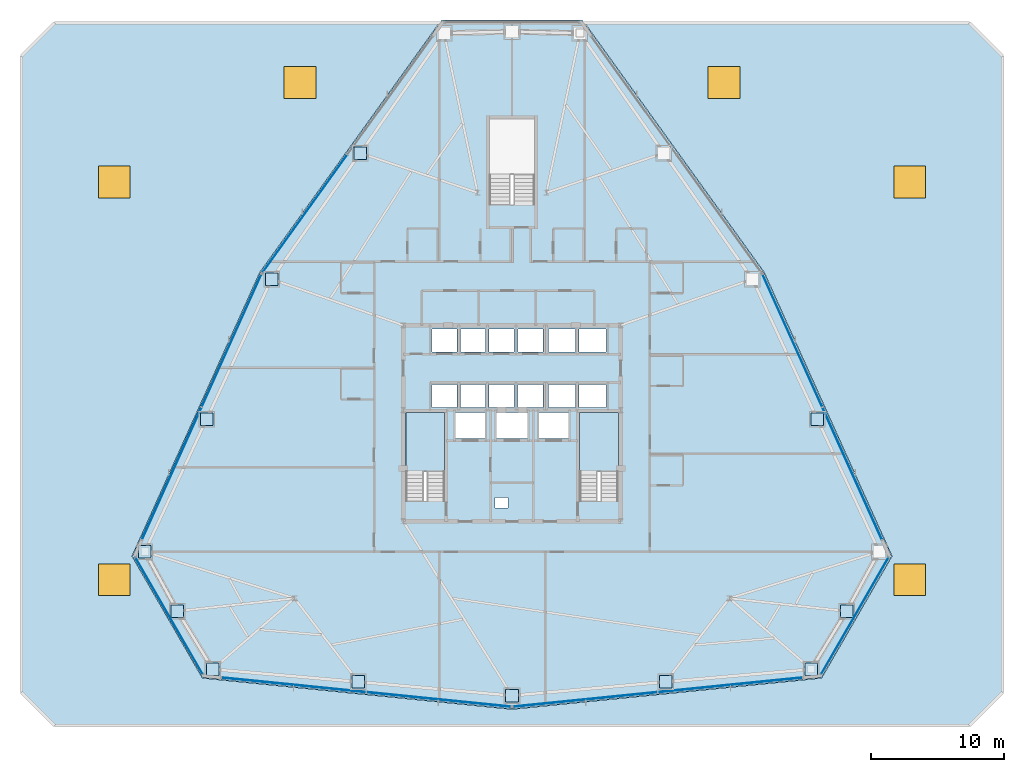
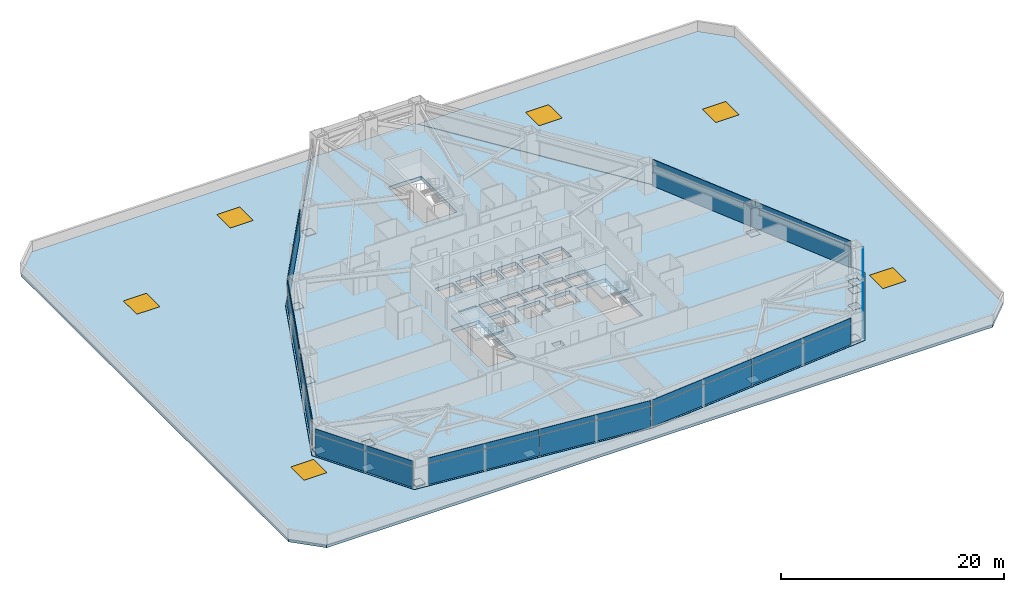
# One storey, part 10 of 17: 41 plates, 6 windows, 4 slabs, 6 openings, 9 elements without a shape of their own.
"""IFC4 building model written with IfcOpenShell, lengths in metres."""

from ifc_helpers import new_model, si_unit, direction, frame, origin, origin_2d, place, context, subcontext, project, spatial, polyline, rectangle, outline, extrude, source, transform, mapped, material, layer, layer_set, type_object, type_shapes, element, fill, aggregate, save


model = new_model("IFC4")

# Units and contexts
model_context = context("Model", 3, precision=1e-05, world=origin(), true_north=direction((0.0, 1.0)))
body_context = subcontext(model_context, "Body", "Model", "MODEL_VIEW")
ifc_project = project(units=[si_unit("LENGTHUNIT", "METRE"), si_unit("AREAUNIT", "SQUARE_METRE"), si_unit("VOLUMEUNIT", "CUBIC_METRE"), si_unit("PLANEANGLEUNIT", "RADIAN"), si_unit("MASSUNIT", "GRAM", prefix="KILO")], contexts=[model_context])

# Site, building, storey
site_placement = place(None, origin())
site = spatial("IfcSite", under=ifc_project, at=site_placement, CompositionType="ELEMENT")
building_placement = place(site_placement, origin())
building = spatial("IfcBuilding", under=site, at=building_placement, Name="Varakhsha Concourse Tower", CompositionType="ELEMENT")
storey_placement = place(building_placement, frame((0.0, 0.0, 27.199951171875)))
storey = spatial("IfcBuildingStorey", under=building, at=storey_placement, Name="L06", CompositionType="ELEMENT", Elevation=27.199951171875)

# Slab
ifc_material_1 = material(Name="Concrete fc 45 MPa", Category="concrete")
ifc_layer_1 = layer(ifc_material_1, 0.419921875, Name="SL-FLR-420")
ifc_layer_set_1 = layer_set([ifc_layer_1], Name="Concrete fc 45 MPa")
slab_type_1 = type_object("IfcSlabType", Name="SL-FLR-420", PredefinedType="FLOOR", material=ifc_layer_set_1)
slab_1_placement = place(storey_placement, frame((0.0, 0.0, -0.419921875)))
element("IfcSlab", 1, at=slab_1_placement, inside=storey, type_object=slab_type_1, Name="L06 Composite Structural Slab", PredefinedType="FLOOR", context=body_context, shape_type="SweptSolid", body=[
    extrude(outline(polyline([(45.300048828125, 54.22021484375), (34.699951171875, 54.22021484375), (20.989013671875, 35.176025390625), (11.351806640625, 13.77978515625), (16.65185546875, 4.60009765625), (40.0, 2.248046875), (63.34814453125, 4.60009765625), (68.648193359375, 13.77978515625), (59.010986328125, 35.176025390625), (45.300048828125, 54.22021484375)]), holes=[polyline([(34.919921875, 17.93994140625), (34.919921875, 24.6298828125), (32.0, 24.6298828125), (32.0, 17.93994140625), (34.919921875, 17.93994140625)]), polyline([(48.02001953125, 17.93994140625), (48.02001953125, 24.6298828125), (45.10009765625, 24.6298828125), (45.10009765625, 17.93994140625), (48.02001953125, 17.93994140625)]), polyline([(41.699951171875, 40.300048828125), (41.699951171875, 46.75), (38.300048828125, 46.75), (38.300048828125, 40.300048828125), (41.699951171875, 40.300048828125)]), polyline([(33.9599609375, 29.159912109375), (35.840087890625, 29.159912109375), (35.840087890625, 30.89990234375), (33.9599609375, 30.89990234375), (33.9599609375, 29.159912109375)]), polyline([(36.1201171875, 29.159912109375), (38.0, 29.159912109375), (38.0, 30.89990234375), (36.1201171875, 30.89990234375), (36.1201171875, 29.159912109375)]), polyline([(38.280029296875, 29.159912109375), (40.159912109375, 29.159912109375), (40.159912109375, 30.89990234375), (38.280029296875, 30.89990234375), (38.280029296875, 29.159912109375)]), polyline([(40.43994140625, 29.159912109375), (42.320068359375, 29.159912109375), (42.320068359375, 30.89990234375), (40.43994140625, 30.89990234375), (40.43994140625, 29.159912109375)]), polyline([(33.9599609375, 25.0), (35.840087890625, 25.0), (35.840087890625, 26.739990234375), (33.9599609375, 26.739990234375), (33.9599609375, 25.0)]), polyline([(36.1201171875, 25.0), (38.0, 25.0), (38.0, 26.739990234375), (36.1201171875, 26.739990234375), (36.1201171875, 25.0)]), polyline([(38.280029296875, 25.0), (40.159912109375, 25.0), (40.159912109375, 26.739990234375), (38.280029296875, 26.739990234375), (38.280029296875, 25.0)]), polyline([(40.43994140625, 25.0), (42.320068359375, 25.0), (42.320068359375, 26.739990234375), (40.43994140625, 26.739990234375), (40.43994140625, 25.0)]), polyline([(42.739990234375, 29.159912109375), (44.780029296875, 29.159912109375), (44.780029296875, 30.89990234375), (42.739990234375, 30.89990234375), (42.739990234375, 29.159912109375)]), polyline([(45.06005859375, 29.159912109375), (47.10009765625, 29.159912109375), (47.10009765625, 30.89990234375), (45.06005859375, 30.89990234375), (45.06005859375, 29.159912109375)]), polyline([(42.739990234375, 25.0), (44.780029296875, 25.0), (44.780029296875, 26.739990234375), (42.739990234375, 26.739990234375), (42.739990234375, 25.0)]), polyline([(45.06005859375, 25.0), (47.10009765625, 25.0), (47.10009765625, 26.739990234375), (45.06005859375, 26.739990234375), (45.06005859375, 25.0)]), polyline([(35.7099609375, 22.639892578125), (37.989990234375, 22.639892578125), (37.989990234375, 24.60009765625), (35.7099609375, 24.60009765625), (35.7099609375, 22.639892578125)]), polyline([(42.010009765625, 22.639892578125), (44.2900390625, 22.639892578125), (44.2900390625, 24.60009765625), (42.010009765625, 24.60009765625), (42.010009765625, 22.639892578125)]), polyline([(38.81005859375, 22.639892578125), (41.18994140625, 22.639892578125), (41.18994140625, 24.60009765625), (38.81005859375, 24.60009765625), (38.81005859375, 22.639892578125)]), polyline([(38.719970703125, 17.39990234375), (39.679931640625, 17.39990234375), (39.679931640625, 18.199951171875), (38.719970703125, 18.199951171875), (38.719970703125, 17.39990234375)])]), origin(), (0.0, 0.0, 1.0), 0.419921875),
])

# Stair, slab
stair_type = type_object("IfcStairType", Name="ST-DOGLEG-1360", PredefinedType="HALF_TURN_STAIR", material=ifc_material_1)
stair_1_placement = place(storey_placement, origin())
stair_1 = element("IfcStair", 2, at=stair_1_placement, inside=storey, type_object=stair_type, Name="L06 Protected Exit Stair ST1", PredefinedType="HALF_TURN_STAIR")
ifc_layer_2 = layer(ifc_material_1, 0.199951171875, Name="SL-LAND-200")
ifc_layer_set_2 = layer_set([ifc_layer_2], Name="Concrete fc 45 MPa")
slab_type_2 = type_object("IfcSlabType", Name="SL-LAND-200", PredefinedType="LANDING", material=ifc_layer_set_2)
slab_2_placement = place(storey_placement, frame((0.0, 0.0, 1.400146484375)))
slab_2 = element("IfcSlab", 3, at=slab_2_placement, type_object=slab_type_2, Name="ST1 landing 1", PredefinedType="LANDING", context=body_context, shape_type="SweptSolid", body=[
    extrude(outline(polyline([(34.919921875, 20.179931640625), (34.919921875, 24.6298828125), (32.0, 24.6298828125), (32.0, 20.179931640625), (34.919921875, 20.179931640625)])), origin(), (0.0, 0.0, 1.0), 0.199951171875),
])
aggregate(stair_1, [slab_2])

stair_2_placement = place(storey_placement, origin())
stair_2 = element("IfcStair", 4, at=stair_2_placement, inside=storey, type_object=stair_type, Name="L06 Protected Exit Stair ST2", PredefinedType="HALF_TURN_STAIR")
slab_3_placement = place(storey_placement, frame((0.0, 0.0, 1.400146484375)))
slab_3 = element("IfcSlab", 5, at=slab_3_placement, type_object=slab_type_2, Name="ST2 landing 1", PredefinedType="LANDING", context=body_context, shape_type="SweptSolid", body=[
    extrude(outline(polyline([(48.02001953125, 20.179931640625), (48.02001953125, 24.6298828125), (45.10009765625, 24.6298828125), (45.10009765625, 20.179931640625), (48.02001953125, 20.179931640625)])), origin(), (0.0, 0.0, 1.0), 0.199951171875),
])
aggregate(stair_2, [slab_3])

# Slab, openings, windows
ifc_layer_3 = layer(ifc_material_1, 0.300048828125, Name="SL-ROOF-POD-300")
ifc_layer_set_3 = layer_set([ifc_layer_3], Name="Concrete fc 45 MPa")
slab_type_3 = type_object("IfcSlabType", Name="SL-ROOF-POD-300", PredefinedType="ROOF", material=ifc_layer_set_3)
slab_4_placement = place(storey_placement, frame((0.0, 0.0, -0.300048828125)))
slab_4 = element("IfcSlab", 6, at=slab_4_placement, inside=storey, type_object=slab_type_3, Name="Podium Convention Hall Roof Slab 1", PredefinedType="ROOF", context=body_context, shape_type="SweptSolid", body=[
    extrude(outline(polyline([(74.5, 54.0), (77.0, 51.5), (77.0, 3.5), (74.5, 1.0), (5.5, 1.0), (3.0, 3.5), (3.0, 51.5), (5.5, 54.0), (34.516845703125, 54.0), (20.9716796875, 35.18603515625), (11.33203125, 13.777099609375), (16.644287109375, 4.58154296875), (40.0, 2.22802734375), (63.355712890625, 4.58154296875), (68.66796875, 13.777099609375), (59.0283203125, 35.18603515625), (45.483154296875, 54.0), (74.5, 54.0)]), holes=[polyline([(8.800048828125, 10.800048828125), (11.199951171875, 10.800048828125), (11.199951171875, 13.199951171875), (8.800048828125, 13.199951171875), (8.800048828125, 10.800048828125)]), polyline([(8.800048828125, 40.800048828125), (11.199951171875, 40.800048828125), (11.199951171875, 43.199951171875), (8.800048828125, 43.199951171875), (8.800048828125, 40.800048828125)]), polyline([(68.800048828125, 10.800048828125), (71.199951171875, 10.800048828125), (71.199951171875, 13.199951171875), (68.800048828125, 13.199951171875), (68.800048828125, 10.800048828125)]), polyline([(68.800048828125, 40.800048828125), (71.199951171875, 40.800048828125), (71.199951171875, 43.199951171875), (68.800048828125, 43.199951171875), (68.800048828125, 40.800048828125)]), polyline([(22.800048828125, 48.300048828125), (25.199951171875, 48.300048828125), (25.199951171875, 50.699951171875), (22.800048828125, 50.699951171875), (22.800048828125, 48.300048828125)]), polyline([(54.800048828125, 48.300048828125), (57.199951171875, 48.300048828125), (57.199951171875, 50.699951171875), (54.800048828125, 50.699951171875), (54.800048828125, 48.300048828125)])]), origin(), (0.0, 0.0, 1.0), 0.300048828125),
])
opening_1_placement = place(slab_4_placement, frame((10.0, 12.0, 0.0)))
opening_1 = element("IfcOpeningElement", 7, at=opening_1_placement, cuts=slab_4, Name="Opening SK-01", PredefinedType="OPENING", context=body_context, shape_type="SweptSolid", body=[
    extrude(rectangle(XDim=2.39990234375, YDim=2.39990234375, at=origin_2d()), frame((0.0, 0.0, -0.010009765625)), (0.0, 0.0, 1.0), 0.320068359375),
])
opening_2_placement = place(slab_4_placement, frame((10.0, 42.0, 0.0)))
opening_2 = element("IfcOpeningElement", 8, at=opening_2_placement, cuts=slab_4, Name="Opening SK-01", PredefinedType="OPENING", context=body_context, shape_type="SweptSolid", body=[
    extrude(rectangle(XDim=2.39990234375, YDim=2.39990234375, at=origin_2d()), frame((0.0, 0.0, -0.010009765625)), (0.0, 0.0, 1.0), 0.320068359375),
])
opening_3_placement = place(slab_4_placement, frame((70.0, 12.0, 0.0)))
opening_3 = element("IfcOpeningElement", 9, at=opening_3_placement, cuts=slab_4, Name="Opening SK-01", PredefinedType="OPENING", context=body_context, shape_type="SweptSolid", body=[
    extrude(rectangle(XDim=2.39990234375, YDim=2.39990234375, at=origin_2d()), frame((0.0, 0.0, -0.010009765625)), (0.0, 0.0, 1.0), 0.320068359375),
])
opening_4_placement = place(slab_4_placement, frame((70.0, 42.0, 0.0)))
opening_4 = element("IfcOpeningElement", 10, at=opening_4_placement, cuts=slab_4, Name="Opening SK-01", PredefinedType="OPENING", context=body_context, shape_type="SweptSolid", body=[
    extrude(rectangle(XDim=2.39990234375, YDim=2.39990234375, at=origin_2d()), frame((0.0, 0.0, -0.010009765625)), (0.0, 0.0, 1.0), 0.320068359375),
])
opening_5_placement = place(slab_4_placement, frame((24.0, 49.5, 0.0)))
opening_5 = element("IfcOpeningElement", 11, at=opening_5_placement, cuts=slab_4, Name="Opening SK-01", PredefinedType="OPENING", context=body_context, shape_type="SweptSolid", body=[
    extrude(rectangle(XDim=2.39990234375, YDim=2.39990234375, at=origin_2d()), frame((0.0, 0.0, -0.010009765625)), (0.0, 0.0, 1.0), 0.320068359375),
])
opening_6_placement = place(slab_4_placement, frame((56.0, 49.5, 0.0)))
opening_6 = element("IfcOpeningElement", 12, at=opening_6_placement, cuts=slab_4, Name="Opening SK-01", PredefinedType="OPENING", context=body_context, shape_type="SweptSolid", body=[
    extrude(rectangle(XDim=2.39990234375, YDim=2.39990234375, at=origin_2d()), frame((0.0, 0.0, -0.010009765625)), (0.0, 0.0, 1.0), 0.320068359375),
])
ifc_material_2 = material(Name="Low-E Triple Insulating Glass IGU 44 mm", Category="glass")
window_type = type_object("IfcWindowType", Name="WN-SKYLIGHT-2400", PartitioningType="SINGLE_PANEL", PredefinedType="SKYLIGHT", material=ifc_material_2)
window_1_placement = place(opening_1_placement, frame((0.0, 0.0, 0.25)))
window_1 = element("IfcWindow", 13, at=window_1_placement, inside=storey, type_object=window_type, Name="Podium Convention Hall Skylight 01", OverallHeight=2.39990234375, OverallWidth=2.39990234375, PartitioningType="SINGLE_PANEL", PredefinedType="SKYLIGHT", context=body_context, shape_type="SweptSolid", body=[
    extrude(rectangle(XDim=2.39990234375, YDim=2.39990234375, at=origin_2d()), origin(), (0.0, 0.0, 1.0), 0.050048828125),
])
fill(opening_1, window_1)
window_2_placement = place(opening_2_placement, frame((0.0, 0.0, 0.25)))
window_2 = element("IfcWindow", 14, at=window_2_placement, inside=storey, type_object=window_type, Name="Podium Convention Hall Skylight 02", OverallHeight=2.39990234375, OverallWidth=2.39990234375, PartitioningType="SINGLE_PANEL", PredefinedType="SKYLIGHT", context=body_context, shape_type="SweptSolid", body=[
    extrude(rectangle(XDim=2.39990234375, YDim=2.39990234375, at=origin_2d()), origin(), (0.0, 0.0, 1.0), 0.050048828125),
])
fill(opening_2, window_2)
window_3_placement = place(opening_3_placement, frame((0.0, 0.0, 0.25)))
window_3 = element("IfcWindow", 15, at=window_3_placement, inside=storey, type_object=window_type, Name="Podium Convention Hall Skylight 03", OverallHeight=2.39990234375, OverallWidth=2.39990234375, PartitioningType="SINGLE_PANEL", PredefinedType="SKYLIGHT", context=body_context, shape_type="SweptSolid", body=[
    extrude(rectangle(XDim=2.39990234375, YDim=2.39990234375, at=origin_2d()), origin(), (0.0, 0.0, 1.0), 0.050048828125),
])
fill(opening_3, window_3)
window_4_placement = place(opening_4_placement, frame((0.0, 0.0, 0.25)))
window_4 = element("IfcWindow", 16, at=window_4_placement, inside=storey, type_object=window_type, Name="Podium Convention Hall Skylight 04", OverallHeight=2.39990234375, OverallWidth=2.39990234375, PartitioningType="SINGLE_PANEL", PredefinedType="SKYLIGHT", context=body_context, shape_type="SweptSolid", body=[
    extrude(rectangle(XDim=2.39990234375, YDim=2.39990234375, at=origin_2d()), origin(), (0.0, 0.0, 1.0), 0.050048828125),
])
fill(opening_4, window_4)
window_5_placement = place(opening_5_placement, frame((0.0, 0.0, 0.25)))
window_5 = element("IfcWindow", 17, at=window_5_placement, inside=storey, type_object=window_type, Name="Podium Convention Hall Skylight 05", OverallHeight=2.39990234375, OverallWidth=2.39990234375, PartitioningType="SINGLE_PANEL", PredefinedType="SKYLIGHT", context=body_context, shape_type="SweptSolid", body=[
    extrude(rectangle(XDim=2.39990234375, YDim=2.39990234375, at=origin_2d()), origin(), (0.0, 0.0, 1.0), 0.050048828125),
])
fill(opening_5, window_5)
window_6_placement = place(opening_6_placement, frame((0.0, 0.0, 0.25)))
window_6 = element("IfcWindow", 18, at=window_6_placement, inside=storey, type_object=window_type, Name="Podium Convention Hall Skylight 06", OverallHeight=2.39990234375, OverallWidth=2.39990234375, PartitioningType="SINGLE_PANEL", PredefinedType="SKYLIGHT", context=body_context, shape_type="SweptSolid", body=[
    extrude(rectangle(XDim=2.39990234375, YDim=2.39990234375, at=origin_2d()), origin(), (0.0, 0.0, 1.0), 0.050048828125),
])
fill(opening_6, window_6)

# Plates
ifc_material_3 = material(Name="Structural Steel ASTM A572 Grade 50", Category="steel")
ifc_layer_4 = layer(ifc_material_3, 0.030029296875, Name="PL-ENDCAP-950")
ifc_layer_set_4 = layer_set([ifc_layer_4], Name="Structural Steel ASTM A572 Grade 50")
plate_type_1 = type_object("IfcPlateType", Name="PL-ENDCAP-950", PredefinedType="USERDEFINED", material=ifc_layer_set_4)
shared_shape_1 = source(origin(), body_context, "Body", "SweptSolid", [
    extrude(rectangle(XDim=0.949951171875, YDim=0.949951171875, at=origin_2d()), origin(), (0.0, 0.0, 1.0), 0.030029296875),
])
type_shapes(plate_type_1, [shared_shape_1])
for number, where, z_axis, x_axis, name in (
    (19, (28.55859375, 44.183837890625, -0.01513671875), (0.0, 0.0, 1.0), (1.0, 0.0, 0.0), "Hollow Section End Cap EP-TC04-L06"),
    (20, (21.865478515625, 34.669921875, -0.01513671875), (0.0, 0.0, 1.0), (1.0, 0.0, 0.0), "Hollow Section End Cap EP-TC05-L06"),
    (21, (16.972900390625, 24.116455078125, -0.01513671875), (0.0, 0.0, 1.0), (1.0, 0.0, 0.0), "Hollow Section End Cap EP-TC06-L06"),
    (22, (12.302734375, 14.125732421875, -0.01513671875), (0.0, 0.0, 1.0), (1.0, 0.0, 0.0), "Hollow Section End Cap EP-TC07-L06"),
    (23, (14.763916015625, 9.6298828125, -0.01513671875), (0.0, 0.0, 1.0), (1.0, 0.0, 0.0), "Hollow Section End Cap EP-TC08-L06"),
    (24, (17.427001953125, 5.250732421875, -0.01513671875), (0.0, 0.0, 1.0), (1.0, 0.0, 0.0), "Hollow Section End Cap EP-TC09-L06"),
    (25, (28.4140625, 4.299560546875, -0.01513671875), (0.0, 0.0, 1.0), (1.0, 0.0, 0.0), "Hollow Section End Cap EP-TC10-L06"),
    (26, (40.0, 3.260009765625, -0.01513671875), (0.0, 0.0, 1.0), (1.0, 0.0, 0.0), "Hollow Section End Cap EP-TC11-L06"),
    (27, (51.5859375, 4.299560546875, -0.01513671875), (0.0, 0.0, 1.0), (1.0, 0.0, 0.0), "Hollow Section End Cap EP-TC12-L06"),
    (28, (62.572998046875, 5.250732421875, -0.01513671875), (0.0, 0.0, 1.0), (1.0, 0.0, 0.0), "Hollow Section End Cap EP-TC13-L06"),
    (29, (65.236083984375, 9.6298828125, -0.01513671875), (0.0, 0.0, 1.0), (1.0, 0.0, 0.0), "Hollow Section End Cap EP-TC14-L06"),
    (30, (63.027099609375, 24.116455078125, -0.01513671875), (0.0, 0.0, 1.0), (1.0, 0.0, 0.0), "Hollow Section End Cap EP-TC16-L06"),
    (31, (12.302734375, 14.125732421875, 0.10498046875), (0.0, 0.0, 1.0), (1.0, 0.0, 0.0), "Hollow Section End Cap GP-NODE-L06-0013"),
    (32, (14.763916015625, 9.6298828125, 2.6650390625), (0.0, 0.0, 1.0), (1.0, 0.0, 0.0), "Hollow Section End Cap GP-NODE-L06-0014"),
    (33, (17.427001953125, 5.250732421875, 0.10498046875), (0.0, 0.0, 1.0), (1.0, 0.0, 0.0), "Hollow Section End Cap GP-NODE-L06-0015"),
    (34, (62.572998046875, 5.250732421875, 0.10498046875), (0.0, 0.0, 1.0), (1.0, 0.0, 0.0), "Hollow Section End Cap GP-NODE-L06-0016"),
    (35, (65.236083984375, 9.6298828125, 2.6650390625), (0.0, 0.0, 1.0), (1.0, 0.0, 0.0), "Hollow Section End Cap GP-NODE-L06-0017"),
    (36, (14.763916015625, 9.6298828125, 1.78515625), (0.0, 0.0, 1.0), (1.0, 0.0, 0.0), "Hollow Section End Cap GP-NODE-L06-0020"),
    (37, (65.236083984375, 9.6298828125, 1.78515625), (0.0, 0.0, 1.0), (1.0, 0.0, 0.0), "Hollow Section End Cap GP-NODE-L06-0021"),
):
    element("IfcPlate", number, at=place(storey_placement, frame(where, z_axis=z_axis, x_axis=x_axis)), inside=storey, type_object=plate_type_1, Name=name, ObjectType="END PLATE", PredefinedType="USERDEFINED", context=body_context, shape_type="MappedRepresentation", body=[
        mapped(shared_shape_1, transform((0.0, 0.0, 0.0), scale=1.0)),
    ])

# Curtain wall, plate
ifc_material_4 = material(Name="Anodised Bronze Architectural Aluminium AA 6063-T6", Category="aluminium")
ifc_layer_5 = layer(ifc_material_4, 0.219970703125, Name="CW-SYS-02")
ifc_layer_set_5 = layer_set([ifc_layer_5], Name="Anodised Bronze Architectural Aluminium AA 6063-T6")
curtain_wall_type = type_object("IfcCurtainWallType", Name="CW-SYS-02", PredefinedType="NOTDEFINED", material=ifc_layer_set_5)
curtain_wall_1_placement = place(storey_placement, origin())
curtain_wall_1 = element("IfcCurtainWall", 38, at=curtain_wall_1_placement, inside=storey, type_object=curtain_wall_type, Name="L06 Chamfer Curtain Wall F4", PredefinedType="NOTDEFINED")
ifc_material_5 = material(Name="Insulated Anodised Bronze Aluminium Spandrel 36 mm", Category="aluminium")
ifc_layer_6 = layer(ifc_material_5, 0.035888671875, Name="CWP-SPN-36")
ifc_layer_set_6 = layer_set([ifc_layer_6], Name="Insulated Anodised Bronze Aluminium Spandrel 36 mm")
plate_type_2 = type_object("IfcPlateType", Name="CWP-SPN-36", PredefinedType="USERDEFINED", material=ifc_layer_set_6)
shared_shape_2 = source(origin(), body_context, "Body", "SweptSolid", [
    extrude(rectangle(XDim=10.0810546875, YDim=0.035888671875, at=origin_2d()), origin(), (0.0, 0.0, 1.0), 2.260986328125),
])
type_shapes(plate_type_2, [shared_shape_2])
plate_1_placement = place(storey_placement, frame((14.140380859375, 9.27001953125, 0.03466796875), z_axis=(0.0, 0.0, 1.0), x_axis=(-0.499996976998, 0.866027149108, 0.0)))
plate_1 = element("IfcPlate", 39, at=plate_1_placement, type_object=plate_type_2, Name="CW-L06-F4 Panel 00-00", ObjectType="SPANDREL", PredefinedType="USERDEFINED", context=body_context, shape_type="MappedRepresentation", body=[
    mapped(shared_shape_2, transform((0.0, 0.0, 0.0), scale=1.0)),
])

curtain_wall_2_placement = place(storey_placement, origin())
curtain_wall_2 = element("IfcCurtainWall", 40, at=curtain_wall_2_placement, inside=storey, type_object=curtain_wall_type, Name="L06 Chamfer Curtain Wall F7", PredefinedType="NOTDEFINED")
plate_2_placement = place(storey_placement, frame((65.859619140625, 9.27001953125, 0.03466796875), z_axis=(0.0, 0.0, 1.0), x_axis=(-0.499996976998, -0.866027149108, 0.0)))
plate_2 = element("IfcPlate", 41, at=plate_2_placement, type_object=plate_type_2, Name="CW-L06-F7 Panel 00-00", ObjectType="SPANDREL", PredefinedType="USERDEFINED", context=body_context, shape_type="MappedRepresentation", body=[
    mapped(shared_shape_2, transform((0.0, 0.0, 0.0), scale=1.0)),
])

# Plate
ifc_material_6 = material(Name="Glazed Turquoise-Bronze Ceramic Spandrel Panel 38 mm", Category="ceramic")
ifc_layer_7 = layer(ifc_material_6, 0.0380859375, Name="CWP-SPN-38")
ifc_layer_set_7 = layer_set([ifc_layer_7], Name="Glazed Turquoise-Bronze Ceramic Spandrel Panel 38 mm")
plate_type_3 = type_object("IfcPlateType", Name="CWP-SPN-38", PredefinedType="USERDEFINED", material=ifc_layer_set_7)
shared_shape_3 = source(origin(), body_context, "Body", "SweptSolid", [
    extrude(rectangle(XDim=10.0810546875, YDim=0.0380859375, at=origin_2d()), origin(), (0.0, 0.0, 1.0), 0.5810546875),
])
plate_3_placement = place(storey_placement, frame((14.140380859375, 9.27001953125, 2.364501953125), z_axis=(0.0, 0.0, 1.0), x_axis=(-0.499996976998, 0.866027149108, 0.0)))
plate_3 = element("IfcPlate", 42, at=plate_3_placement, type_object=plate_type_3, Name="CW-L06-F4 Panel 00-01", ObjectType="SPANDREL", PredefinedType="USERDEFINED", context=body_context, shape_type="MappedRepresentation", body=[
    mapped(shared_shape_3, transform((0.0, 0.0, 0.0), scale=1.0)),
])

aggregate(curtain_wall_1, [plate_1, plate_3])

plate_4_placement = place(storey_placement, frame((65.859619140625, 9.27001953125, 2.364501953125), z_axis=(0.0, 0.0, 1.0), x_axis=(-0.499996976998, -0.866027149108, 0.0)))
plate_4 = element("IfcPlate", 43, at=plate_4_placement, type_object=plate_type_3, Name="CW-L06-F7 Panel 00-01", ObjectType="SPANDREL", PredefinedType="USERDEFINED", context=body_context, shape_type="MappedRepresentation", body=[
    mapped(shared_shape_3, transform((0.0, 0.0, 0.0), scale=1.0)),
])

aggregate(curtain_wall_2, [plate_2, plate_4])

# Curtain wall, plate
curtain_wall_3_placement = place(storey_placement, origin())
curtain_wall_3 = element("IfcCurtainWall", 44, at=curtain_wall_3_placement, inside=storey, type_object=curtain_wall_type, Name="L06 Crystal Curtain Wall F2", PredefinedType="NOTDEFINED")
ifc_layer_8 = layer(ifc_material_2, 0.0439453125, Name="CWP-IGU-44")
ifc_layer_set_8 = layer_set([ifc_layer_8], Name="Low-E Triple Insulating Glass IGU 44 mm")
plate_type_4 = type_object("IfcPlateType", Name="CWP-IGU-44", PredefinedType="CURTAIN_PANEL", material=ifc_layer_set_8)
shared_shape_4 = source(origin(), body_context, "Body", "SweptSolid", [
    extrude(rectangle(XDim=10.904296875, YDim=0.0439453125, at=origin_2d()), origin(), (0.0, 0.0, 1.0), 2.260986328125),
])
plate_5_placement = place(storey_placement, frame((24.374267578125, 39.60400390625, 0.03466796875), z_axis=(0.0, 0.0, 1.0), x_axis=(0.584283660256, 0.81154950826, 0.0)))
plate_5 = element("IfcPlate", 45, at=plate_5_placement, type_object=plate_type_4, Name="CW-L06-F2 Panel 00-00", PredefinedType="CURTAIN_PANEL", context=body_context, shape_type="MappedRepresentation", body=[
    mapped(shared_shape_4, transform((0.0, 0.0, 0.0), scale=1.0)),
])

curtain_wall_4_placement = place(storey_placement, origin())
curtain_wall_4 = element("IfcCurtainWall", 46, at=curtain_wall_4_placement, inside=storey, type_object=curtain_wall_type, Name="L06 Crystal Curtain Wall F3", PredefinedType="NOTDEFINED")
plate_6_placement = place(storey_placement, frame((14.336181640625, 20.01611328125, 0.03466796875), z_axis=(0.0, 0.0, 1.0), x_axis=(0.410683843161, 0.911777813377, 0.0)))
plate_6 = element("IfcPlate", 47, at=plate_6_placement, type_object=plate_type_4, Name="CW-L06-F3 Panel 00-00", PredefinedType="CURTAIN_PANEL", context=body_context, shape_type="MappedRepresentation", body=[
    mapped(shared_shape_4, transform((0.0, 0.0, 0.0), scale=1.0)),
])

curtain_wall_5_placement = place(storey_placement, origin())
curtain_wall_5 = element("IfcCurtainWall", 48, at=curtain_wall_5_placement, inside=storey, type_object=curtain_wall_type, Name="L06 Crystal Curtain Wall F5", PredefinedType="NOTDEFINED")
plate_7_placement = place(storey_placement, frame((34.472412109375, 2.965576171875, 0.03466796875), z_axis=(0.0, 0.0, 1.0), x_axis=(-0.994964670572, 0.100226265587, 0.0)))
plate_7 = element("IfcPlate", 49, at=plate_7_placement, type_object=plate_type_4, Name="CW-L06-F5 Panel 00-00", PredefinedType="CURTAIN_PANEL", context=body_context, shape_type="MappedRepresentation", body=[
    mapped(shared_shape_4, transform((0.0, 0.0, 0.0), scale=1.0)),
])

curtain_wall_6_placement = place(storey_placement, origin())
curtain_wall_6 = element("IfcCurtainWall", 50, at=curtain_wall_6_placement, inside=storey, type_object=curtain_wall_type, Name="L06 Crystal Curtain Wall F6", PredefinedType="NOTDEFINED")
plate_8_placement = place(storey_placement, frame((56.455322265625, 4.06640625, 0.03466796875), z_axis=(0.0, 0.0, 1.0), x_axis=(-0.994964670572, -0.100226265587, 0.0)))
plate_8 = element("IfcPlate", 51, at=plate_8_placement, type_object=plate_type_4, Name="CW-L06-F6 Panel 00-00", PredefinedType="CURTAIN_PANEL", context=body_context, shape_type="MappedRepresentation", body=[
    mapped(shared_shape_4, transform((0.0, 0.0, 0.0), scale=1.0)),
])

curtain_wall_7_placement = place(storey_placement, origin())
curtain_wall_7 = element("IfcCurtainWall", 52, at=curtain_wall_7_placement, inside=storey, type_object=curtain_wall_type, Name="L06 Crystal Curtain Wall F8", PredefinedType="NOTDEFINED")
plate_9_placement = place(storey_placement, frame((61.1533203125, 30.0302734375, 0.03466796875), z_axis=(0.0, 0.0, 1.0), x_axis=(0.410683843161, -0.911777813377, 0.0)))
plate_9 = element("IfcPlate", 53, at=plate_9_placement, type_object=plate_type_4, Name="CW-L06-F8 Panel 00-00", PredefinedType="CURTAIN_PANEL", context=body_context, shape_type="MappedRepresentation", body=[
    mapped(shared_shape_4, transform((0.0, 0.0, 0.0), scale=1.0)),
])

# Plate
shared_shape_5 = source(origin(), body_context, "Body", "SweptSolid", [
    extrude(rectangle(XDim=10.904296875, YDim=0.0380859375, at=origin_2d()), origin(), (0.0, 0.0, 1.0), 0.5810546875),
])
plate_10_placement = place(storey_placement, frame((24.374267578125, 39.60400390625, 2.364501953125), z_axis=(0.0, 0.0, 1.0), x_axis=(0.584283660256, 0.81154950826, 0.0)))
plate_10 = element("IfcPlate", 54, at=plate_10_placement, type_object=plate_type_3, Name="CW-L06-F2 Panel 00-01", ObjectType="SPANDREL", PredefinedType="USERDEFINED", context=body_context, shape_type="MappedRepresentation", body=[
    mapped(shared_shape_5, transform((0.0, 0.0, 0.0), scale=1.0)),
])

aggregate(curtain_wall_3, [plate_5, plate_10])

plate_11_placement = place(storey_placement, frame((14.336181640625, 20.01611328125, 2.364501953125), z_axis=(0.0, 0.0, 1.0), x_axis=(0.410683843161, 0.911777813377, 0.0)))
plate_11 = element("IfcPlate", 55, at=plate_11_placement, type_object=plate_type_3, Name="CW-L06-F3 Panel 00-01", ObjectType="SPANDREL", PredefinedType="USERDEFINED", context=body_context, shape_type="MappedRepresentation", body=[
    mapped(shared_shape_5, transform((0.0, 0.0, 0.0), scale=1.0)),
])

plate_12_placement = place(storey_placement, frame((34.472412109375, 2.965576171875, 2.364501953125), z_axis=(0.0, 0.0, 1.0), x_axis=(-0.994964670572, 0.100226265587, 0.0)))
plate_12 = element("IfcPlate", 56, at=plate_12_placement, type_object=plate_type_3, Name="CW-L06-F5 Panel 00-01", ObjectType="SPANDREL", PredefinedType="USERDEFINED", context=body_context, shape_type="MappedRepresentation", body=[
    mapped(shared_shape_5, transform((0.0, 0.0, 0.0), scale=1.0)),
])

plate_13_placement = place(storey_placement, frame((56.455322265625, 4.06640625, 2.364501953125), z_axis=(0.0, 0.0, 1.0), x_axis=(-0.994964670572, -0.100226265587, 0.0)))
plate_13 = element("IfcPlate", 57, at=plate_13_placement, type_object=plate_type_3, Name="CW-L06-F6 Panel 00-01", ObjectType="SPANDREL", PredefinedType="USERDEFINED", context=body_context, shape_type="MappedRepresentation", body=[
    mapped(shared_shape_5, transform((0.0, 0.0, 0.0), scale=1.0)),
])

plate_14_placement = place(storey_placement, frame((61.1533203125, 30.0302734375, 2.364501953125), z_axis=(0.0, 0.0, 1.0), x_axis=(0.410683843161, -0.911777813377, 0.0)))
plate_14 = element("IfcPlate", 58, at=plate_14_placement, type_object=plate_type_3, Name="CW-L06-F8 Panel 00-01", ObjectType="SPANDREL", PredefinedType="USERDEFINED", context=body_context, shape_type="MappedRepresentation", body=[
    mapped(shared_shape_5, transform((0.0, 0.0, 0.0), scale=1.0)),
])

shared_shape_6 = source(origin(), body_context, "Body", "SweptSolid", [
    extrude(rectangle(XDim=10.904052734375, YDim=0.0439453125, at=origin_2d()), origin(), (0.0, 0.0, 1.0), 2.260986328125),
])
type_shapes(plate_type_4, [shared_shape_4, shared_shape_6])
plate_15_placement = place(storey_placement, frame((18.8466796875, 30.0302734375, 0.03466796875), z_axis=(0.0, 0.0, 1.0), x_axis=(0.410683843161, 0.911777813377, 0.0)))
plate_15 = element("IfcPlate", 59, at=plate_15_placement, type_object=plate_type_4, Name="CW-L06-F3 Panel 01-00", PredefinedType="CURTAIN_PANEL", context=body_context, shape_type="MappedRepresentation", body=[
    mapped(shared_shape_6, transform((0.0, 0.0, 0.0), scale=1.0)),
])

plate_16_placement = place(storey_placement, frame((23.544677734375, 4.06640625, 0.03466796875), z_axis=(0.0, 0.0, 1.0), x_axis=(-0.994964670572, 0.100226265587, 0.0)))
plate_16 = element("IfcPlate", 60, at=plate_16_placement, type_object=plate_type_4, Name="CW-L06-F5 Panel 01-00", PredefinedType="CURTAIN_PANEL", context=body_context, shape_type="MappedRepresentation", body=[
    mapped(shared_shape_6, transform((0.0, 0.0, 0.0), scale=1.0)),
])

plate_17_placement = place(storey_placement, frame((45.527587890625, 2.965576171875, 0.03466796875), z_axis=(0.0, 0.0, 1.0), x_axis=(-0.994964670572, -0.100226265587, 0.0)))
plate_17 = element("IfcPlate", 61, at=plate_17_placement, type_object=plate_type_4, Name="CW-L06-F6 Panel 01-00", PredefinedType="CURTAIN_PANEL", context=body_context, shape_type="MappedRepresentation", body=[
    mapped(shared_shape_6, transform((0.0, 0.0, 0.0), scale=1.0)),
])

plate_18_placement = place(storey_placement, frame((65.663818359375, 20.01611328125, 0.03466796875), z_axis=(0.0, 0.0, 1.0), x_axis=(0.410683843161, -0.911777813377, 0.0)))
plate_18 = element("IfcPlate", 62, at=plate_18_placement, type_object=plate_type_4, Name="CW-L06-F8 Panel 01-00", PredefinedType="CURTAIN_PANEL", context=body_context, shape_type="MappedRepresentation", body=[
    mapped(shared_shape_6, transform((0.0, 0.0, 0.0), scale=1.0)),
])

shared_shape_7 = source(origin(), body_context, "Body", "SweptSolid", [
    extrude(rectangle(XDim=10.904052734375, YDim=0.0380859375, at=origin_2d()), origin(), (0.0, 0.0, 1.0), 0.5810546875),
])
type_shapes(plate_type_3, [shared_shape_3, shared_shape_5, shared_shape_7])
plate_19_placement = place(storey_placement, frame((18.8466796875, 30.0302734375, 2.364501953125), z_axis=(0.0, 0.0, 1.0), x_axis=(0.410683843161, 0.911777813377, 0.0)))
plate_19 = element("IfcPlate", 63, at=plate_19_placement, type_object=plate_type_3, Name="CW-L06-F3 Panel 01-01", ObjectType="SPANDREL", PredefinedType="USERDEFINED", context=body_context, shape_type="MappedRepresentation", body=[
    mapped(shared_shape_7, transform((0.0, 0.0, 0.0), scale=1.0)),
])

aggregate(curtain_wall_4, [plate_6, plate_11, plate_15, plate_19])

plate_20_placement = place(storey_placement, frame((23.544677734375, 4.06640625, 2.364501953125), z_axis=(0.0, 0.0, 1.0), x_axis=(-0.994964670572, 0.100226265587, 0.0)))
plate_20 = element("IfcPlate", 64, at=plate_20_placement, type_object=plate_type_3, Name="CW-L06-F5 Panel 01-01", ObjectType="SPANDREL", PredefinedType="USERDEFINED", context=body_context, shape_type="MappedRepresentation", body=[
    mapped(shared_shape_7, transform((0.0, 0.0, 0.0), scale=1.0)),
])

aggregate(curtain_wall_5, [plate_7, plate_12, plate_16, plate_20])

plate_21_placement = place(storey_placement, frame((45.527587890625, 2.965576171875, 2.364501953125), z_axis=(0.0, 0.0, 1.0), x_axis=(-0.994964670572, -0.100226265587, 0.0)))
plate_21 = element("IfcPlate", 65, at=plate_21_placement, type_object=plate_type_3, Name="CW-L06-F6 Panel 01-01", ObjectType="SPANDREL", PredefinedType="USERDEFINED", context=body_context, shape_type="MappedRepresentation", body=[
    mapped(shared_shape_7, transform((0.0, 0.0, 0.0), scale=1.0)),
])

aggregate(curtain_wall_6, [plate_8, plate_13, plate_17, plate_21])

plate_22_placement = place(storey_placement, frame((65.663818359375, 20.01611328125, 2.364501953125), z_axis=(0.0, 0.0, 1.0), x_axis=(0.410683843161, -0.911777813377, 0.0)))
plate_22 = element("IfcPlate", 66, at=plate_22_placement, type_object=plate_type_3, Name="CW-L06-F8 Panel 01-01", ObjectType="SPANDREL", PredefinedType="USERDEFINED", context=body_context, shape_type="MappedRepresentation", body=[
    mapped(shared_shape_7, transform((0.0, 0.0, 0.0), scale=1.0)),
])

aggregate(curtain_wall_7, [plate_9, plate_14, plate_18, plate_22])

save(model, "model.ifc")
